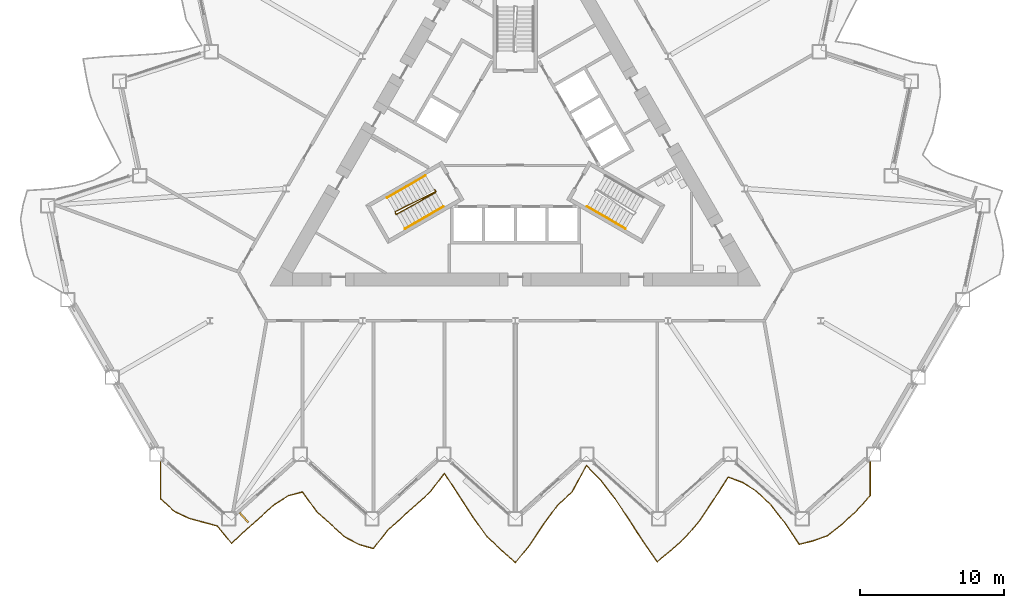
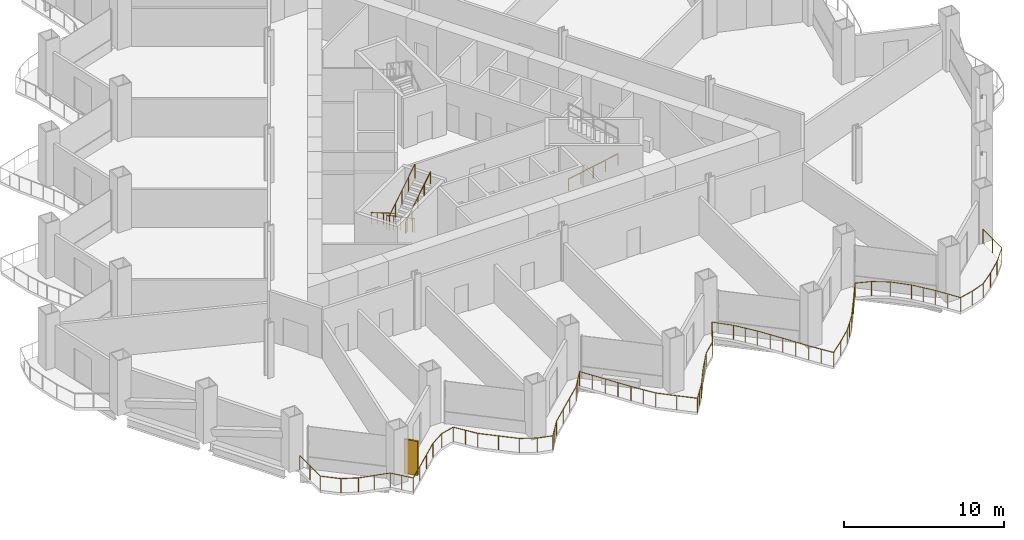
# One storey, part 17 of 21: 5 railings, 1 shading device.
"""IFC4 building model written with IfcOpenShell, lengths in metres."""

from ifc_helpers import new_model, si_unit, direction, frame, origin, origin_2d, place, context, subcontext, project, spatial, rectangle, circle, extrude, material, layer, layer_set, type_object, element, save


model = new_model("IFC4")

# Units and contexts
model_context = context("Model", 3, precision=1e-05, world=origin(), true_north=direction((0.0, 1.0)))
body_context = subcontext(model_context, "Body", "Model", "MODEL_VIEW")
ifc_project = project(units=[si_unit("LENGTHUNIT", "METRE"), si_unit("AREAUNIT", "SQUARE_METRE"), si_unit("VOLUMEUNIT", "CUBIC_METRE"), si_unit("PLANEANGLEUNIT", "RADIAN"), si_unit("MASSUNIT", "GRAM", prefix="KILO")], contexts=[model_context])

# Site, building, storey
site_placement = place(None, origin())
site = spatial("IfcSite", under=ifc_project, at=site_placement, CompositionType="ELEMENT")
building_placement = place(site_placement, origin())
building = spatial("IfcBuilding", under=site, at=building_placement, Name="Cormorant Prow Tower", CompositionType="ELEMENT")
storey_placement = place(building_placement, frame((0.0, 0.0, 72.0)))
storey = spatial("IfcBuildingStorey", under=building, at=storey_placement, Name="L15", CompositionType="ELEMENT", Elevation=72.0)

# Railings
ifc_material_1 = material(Name="Aluminium 6063-T6", Category="aluminium")
railing_type_1 = type_object("IfcRailingType", Name="Balcony guard 1100", PredefinedType="GUARDRAIL", material=ifc_material_1)
railing_1_placement = place(storey_placement, frame((-24.585205078125, -21.9814453125, 0.0)))
element("IfcRailing", 1, at=railing_1_placement, inside=storey, type_object=railing_type_1, Name="Balcony guard S", PredefinedType="GUARDRAIL", context=body_context, shape_type="SweptSolid", body=[
    extrude(circle(Radius=0.02392578125, at=origin_2d()), frame((0.0, 0.0, 1.076171875), z_axis=(0.0, -1.0, 0.0), x_axis=(1.0, 0.0, 0.0)), (0.0, 0.0, 1.0), 2.570068359375),
    extrude(circle(Radius=0.02392578125, at=origin_2d()), frame((0.0, -2.570068359375, 1.076171875), z_axis=(0.743128999228, -0.669148182771, 0.0), x_axis=(0.669148182771, 0.743128999228, 0.0)), (0.0, 0.0, 1.0), 1.3232421875),
    extrude(circle(Radius=0.02392578125, at=origin_2d()), frame((0.9833984375, -3.45556640625, 1.076171875), z_axis=(0.902607699627, -0.430464099053, 0.0), x_axis=(0.430464099053, 0.902607699627, 0.0)), (0.0, 0.0, 1.0), 1.089599609375),
    extrude(circle(Radius=0.02392578125, at=origin_2d()), frame((1.966796875, -3.924560546875, 1.076171875), z_axis=(0.965160842903, -0.26165730895, 0.0), x_axis=(0.26165730895, 0.965160842903, 0.0)), (0.0, 0.0, 1.0), 1.018798828125),
    extrude(circle(Radius=0.02392578125, at=origin_2d()), frame((2.9501953125, -4.191162109375, 1.076171875), z_axis=(0.966063556396, -0.258304481191, 0.0), x_axis=(0.258304481191, 0.966063556396, 0.0)), (0.0, 0.0, 1.0), 1.017822265625),
    extrude(circle(Radius=0.02392578125, at=origin_2d()), frame((3.93359375, -4.4541015625, 1.076171875), z_axis=(0.635950718371, -0.771729670159, 0.0), x_axis=(0.771729670159, 0.635950718371, 0.0)), (0.0, 0.0, 1.0), 1.54638671875),
    extrude(circle(Radius=0.02392578125, at=origin_2d()), frame((4.9169921875, -5.6474609375, 1.076171875), z_axis=(0.743128999228, 0.669148182771, 0.0), x_axis=(-0.669148182771, 0.743128999228, 0.0)), (0.0, 0.0, 1.0), 1.3232421875),
    extrude(circle(Radius=0.02392578125, at=origin_2d()), frame((5.900390625, -4.761962890625, 1.076171875), z_axis=(0.743128999228, 0.669148182771, 0.0), x_axis=(-0.669148182771, 0.743128999228, 0.0)), (0.0, 0.0, 1.0), 1.3232421875),
    extrude(circle(Radius=0.02392578125, at=origin_2d()), frame((6.8837890625, -3.87646484375, 1.076171875), z_axis=(0.743128999228, 0.669148182771, 0.0), x_axis=(-0.669148182771, 0.743128999228, 0.0)), (0.0, 0.0, 1.0), 1.3232421875),
    extrude(circle(Radius=0.02392578125, at=origin_2d()), frame((7.8671875, -2.990966796875, 1.076171875), z_axis=(0.842073916432, 0.539362141111, 0.0), x_axis=(-0.539362141111, 0.842073916432, 0.0)), (0.0, 0.0, 1.0), 1.167724609375),
    extrude(circle(Radius=0.02392578125, at=origin_2d()), frame((8.8505859375, -2.361083984375, 1.076171875), z_axis=(0.967015425791, 0.254717816972, 0.0), x_axis=(-0.254717816972, 0.967015425791, 0.0)), (0.0, 0.0, 1.0), 1.016845703125),
    extrude(circle(Radius=0.02392578125, at=origin_2d()), frame((9.833984375, -2.10205078125, 1.076171875), z_axis=(0.587885354936, -0.808944256084, 0.0), x_axis=(0.808944256084, 0.587885354936, 0.0)), (0.0, 0.0, 1.0), 1.673095703125),
    extrude(circle(Radius=0.02392578125, at=origin_2d()), frame((10.817626953125, -3.45556640625, 1.076171875), z_axis=(0.743128999228, -0.669148182771, 0.0), x_axis=(0.669148182771, 0.743128999228, 0.0)), (0.0, 0.0, 1.0), 1.3232421875),
    extrude(circle(Radius=0.02392578125, at=origin_2d()), frame((11.801025390625, -4.341064453125, 1.076171875), z_axis=(0.743128999228, -0.669148182771, 0.0), x_axis=(0.669148182771, 0.743128999228, 0.0)), (0.0, 0.0, 1.0), 1.3232421875),
    extrude(circle(Radius=0.02392578125, at=origin_2d()), frame((12.784423828125, -5.2265625, 1.076171875), z_axis=(0.884374682445, -0.466777699821, 0.0), x_axis=(0.466777699821, 0.884374682445, 0.0)), (0.0, 0.0, 1.0), 1.112060546875),
    extrude(circle(Radius=0.02392578125, at=origin_2d()), frame((13.767822265625, -5.74560546875, 1.076171875), z_axis=(0.96289198675, -0.269887053883, 0.0), x_axis=(0.269887053883, 0.96289198675, 0.0)), (0.0, 0.0, 1.0), 1.021240234375),
    extrude(circle(Radius=0.02392578125, at=origin_2d()), frame((14.751220703125, -6.021240234375, 1.076171875), z_axis=(0.615483907515, 0.788149452572, 0.0), x_axis=(-0.788149452572, 0.615483907515, 0.0)), (0.0, 0.0, 1.0), 1.59765625),
    extrude(circle(Radius=0.02392578125, at=origin_2d()), frame((15.734619140625, -4.761962890625, 1.076171875), z_axis=(0.743128999228, 0.669148182771, 0.0), x_axis=(-0.669148182771, 0.743128999228, 0.0)), (0.0, 0.0, 1.0), 1.3232421875),
    extrude(circle(Radius=0.02392578125, at=origin_2d()), frame((16.718017578125, -3.87646484375, 1.076171875), z_axis=(0.743128999228, 0.669148182771, 0.0), x_axis=(-0.669148182771, 0.743128999228, 0.0)), (0.0, 0.0, 1.0), 1.3232421875),
    extrude(circle(Radius=0.02392578125, at=origin_2d()), frame((17.701416015625, -2.990966796875, 1.076171875), z_axis=(0.743128999228, 0.669148182771, 0.0), x_axis=(-0.669148182771, 0.743128999228, 0.0)), (0.0, 0.0, 1.0), 1.3232421875),
    extrude(circle(Radius=0.02392578125, at=origin_2d()), frame((18.684814453125, -2.10546875, 1.076171875), z_axis=(0.60515564099, 0.796107185106, 0.0), x_axis=(-0.796107185106, 0.60515564099, 0.0)), (0.0, 0.0, 1.0), 1.625),
    extrude(circle(Radius=0.02392578125, at=origin_2d()), frame((19.668212890625, -0.811767578125, 1.076171875), z_axis=(0.550718393895, -0.834691110906, 0.0), x_axis=(0.834691110906, 0.550718393895, 0.0)), (0.0, 0.0, 1.0), 1.78564453125),
    extrude(circle(Radius=0.02392578125, at=origin_2d()), frame((20.651611328125, -2.30224609375, 1.076171875), z_axis=(0.543749337364, -0.839247673882, 0.0), x_axis=(0.839247673882, 0.543749337364, 0.0)), (0.0, 0.0, 1.0), 1.80859375),
    extrude(circle(Radius=0.02392578125, at=origin_2d()), frame((21.635009765625, -3.820068359375, 1.076171875), z_axis=(0.580910732478, -0.813967272618, 0.0), x_axis=(0.813967272618, 0.580910732478, 0.0)), (0.0, 0.0, 1.0), 1.69287109375),
    extrude(circle(Radius=0.02392578125, at=origin_2d()), frame((22.618408203125, -5.197998046875, 1.076171875), z_axis=(0.73254730476, -0.680716127537, 0.0), x_axis=(0.680716127537, 0.73254730476, 0.0)), (0.0, 0.0, 1.0), 1.342529296875),
    extrude(circle(Radius=0.02392578125, at=origin_2d()), frame((23.601806640625, -6.11181640625, 1.076171875), z_axis=(0.743128999228, -0.669148182771, 0.0), x_axis=(0.669148182771, 0.743128999228, 0.0)), (0.0, 0.0, 1.0), 1.3232421875),
    extrude(circle(Radius=0.02392578125, at=origin_2d()), frame((24.585205078125, -6.997314453125, 1.076171875), z_axis=(0.632861260373, 0.774265216266, 0.0), x_axis=(-0.774265216266, 0.632861260373, 0.0)), (0.0, 0.0, 1.0), 1.553955078125),
    extrude(circle(Radius=0.02392578125, at=origin_2d()), frame((25.568603515625, -5.794189453125, 1.076171875), z_axis=(0.552103781572, 0.833775398039, 0.0), x_axis=(-0.833775398039, 0.552103781572, 0.0)), (0.0, 0.0, 1.0), 1.78125),
    extrude(circle(Radius=0.02392578125, at=origin_2d()), frame((26.552001953125, -4.30908203125, 1.076171875), z_axis=(0.597979093265, 0.80151169924, 0.0), x_axis=(-0.80151169924, 0.597979093265, 0.0)), (0.0, 0.0, 1.0), 1.64453125),
    extrude(circle(Radius=0.02392578125, at=origin_2d()), frame((27.535400390625, -2.990966796875, 1.076171875), z_axis=(0.743128999228, 0.669148182771, 0.0), x_axis=(-0.669148182771, 0.743128999228, 0.0)), (0.0, 0.0, 1.0), 1.3232421875),
    extrude(circle(Radius=0.02392578125, at=origin_2d()), frame((28.518798828125, -2.10546875, 1.076171875), z_axis=(0.47402964322, 0.880508885445, 0.0), x_axis=(-0.880508885445, 0.47402964322, 0.0)), (0.0, 0.0, 1.0), 2.074462890625),
    extrude(circle(Radius=0.02392578125, at=origin_2d()), frame((29.502197265625, -0.27880859375, 1.076171875), z_axis=(0.709744883573, -0.704458799535, 0.0), x_axis=(0.704458799535, 0.709744883573, 0.0)), (0.0, 0.0, 1.0), 1.385498046875),
    extrude(circle(Radius=0.02392578125, at=origin_2d()), frame((30.485595703125, -1.2548828125, 1.076171875), z_axis=(0.609228227632, -0.792994934824, 0.0), x_axis=(0.792994934824, 0.609228227632, 0.0)), (0.0, 0.0, 1.0), 1.6142578125),
    extrude(circle(Radius=0.02392578125, at=origin_2d()), frame((31.468994140625, -2.534912109375, 1.076171875), z_axis=(0.553557968643, -0.832810647958, 0.0), x_axis=(0.832810647958, 0.553557968643, 0.0)), (0.0, 0.0, 1.0), 1.776611328125),
    extrude(circle(Radius=0.02392578125, at=origin_2d()), frame((32.452392578125, -4.014404296875, 1.076171875), z_axis=(0.54258087896, -0.840003565342, 0.0), x_axis=(0.840003565342, 0.54258087896, 0.0)), (0.0, 0.0, 1.0), 1.8125),
    extrude(circle(Radius=0.02392578125, at=origin_2d()), frame((33.435791015625, -5.536865234375, 1.076171875), z_axis=(0.575627914174, -0.817711748983, 0.0), x_axis=(0.817711748983, 0.575627914174, 0.0)), (0.0, 0.0, 1.0), 1.70849609375),
    extrude(circle(Radius=0.02392578125, at=origin_2d()), frame((34.419189453125, -6.933837890625, 1.076171875), z_axis=(0.767252389579, 0.641345281954, 0.0), x_axis=(-0.641345281954, 0.767252389579, 0.0)), (0.0, 0.0, 1.0), 1.28173828125),
    extrude(circle(Radius=0.02392578125, at=origin_2d()), frame((35.402587890625, -6.11181640625, 1.076171875), z_axis=(0.743220744102, 0.669046280564, 0.0), x_axis=(-0.669046280564, 0.743220744102, 0.0)), (0.0, 0.0, 1.0), 1.3232421875),
    extrude(circle(Radius=0.02392578125, at=origin_2d()), frame((36.385986328125, -5.2265625, 1.076171875), z_axis=(0.647872497364, 0.761748795312, 0.0), x_axis=(-0.761748795312, 0.647872497364, 0.0)), (0.0, 0.0, 1.0), 1.517822265625),
    extrude(circle(Radius=0.02392578125, at=origin_2d()), frame((37.369384765625, -4.0703125, 1.076171875), z_axis=(0.555081753939, 0.831795796121, 0.0), x_axis=(-0.831795796121, 0.555081753939, 0.0)), (0.0, 0.0, 1.0), 1.771728515625),
    extrude(circle(Radius=0.02392578125, at=origin_2d()), frame((38.352783203125, -2.5966796875, 1.076171875), z_axis=(0.542307742913, 0.840179928335, 0.0), x_axis=(-0.840179928335, 0.542307742913, 0.0)), (0.0, 0.0, 1.0), 1.813720703125),
    extrude(circle(Radius=0.02392578125, at=origin_2d()), frame((39.33642578125, -1.07275390625, 1.076171875), z_axis=(0.937585804914, -0.347754019996, 0.0), x_axis=(0.347754019996, 0.937585804914, 0.0)), (0.0, 0.0, 1.0), 1.048828125),
    extrude(circle(Radius=0.02392578125, at=origin_2d()), frame((40.31982421875, -1.4375, 1.076171875), z_axis=(0.845678428324, -0.533692791658, 0.0), x_axis=(0.533692791658, 0.845678428324, 0.0)), (0.0, 0.0, 1.0), 1.162841796875),
    extrude(circle(Radius=0.02392578125, at=origin_2d()), frame((41.30322265625, -2.05810546875, 1.076171875), z_axis=(0.720661143333, -0.693287470311, 0.0), x_axis=(0.693287470311, 0.720661143333, 0.0)), (0.0, 0.0, 1.0), 1.364501953125),
    extrude(circle(Radius=0.02392578125, at=origin_2d()), frame((42.28662109375, -3.004150390625, 1.076171875), z_axis=(0.616671463019, -0.787220621362, 0.0), x_axis=(0.787220621362, 0.616671463019, 0.0)), (0.0, 0.0, 1.0), 1.5947265625),
    extrude(circle(Radius=0.02392578125, at=origin_2d()), frame((43.27001953125, -4.259521484375, 1.076171875), z_axis=(0.556675975576, -0.830729714297, 0.0), x_axis=(0.830729714297, 0.556675975576, 0.0)), (0.0, 0.0, 1.0), 1.7666015625),
    extrude(circle(Radius=0.02392578125, at=origin_2d()), frame((44.25341796875, -5.72705078125, 1.076171875), z_axis=(0.97019914748, 0.242308923129, 0.0), x_axis=(-0.242308923129, 0.97019914748, 0.0)), (0.0, 0.0, 1.0), 1.013671875),
    extrude(circle(Radius=0.02392578125, at=origin_2d()), frame((45.23681640625, -5.4814453125, 1.076171875), z_axis=(0.940296766923, 0.340355681771, 0.0), x_axis=(-0.340355681771, 0.940296766923, 0.0)), (0.0, 0.0, 1.0), 1.0458984375),
    extrude(circle(Radius=0.02392578125, at=origin_2d()), frame((46.22021484375, -5.12548828125, 1.076171875), z_axis=(0.781757949104, 0.623581998628, 0.0), x_axis=(-0.623581998628, 0.781757949104, 0.0)), (0.0, 0.0, 1.0), 1.2578125),
    extrude(circle(Radius=0.02392578125, at=origin_2d()), frame((47.20361328125, -4.341064453125, 1.076171875), z_axis=(0.743128999228, 0.669148182771, 0.0), x_axis=(-0.669148182771, 0.743128999228, 0.0)), (0.0, 0.0, 1.0), 1.3232421875),
    extrude(circle(Radius=0.02392578125, at=origin_2d()), frame((48.18701171875, -3.45556640625, 1.076171875), z_axis=(0.662850790638, 0.748751513755, 0.0), x_axis=(-0.748751513755, 0.662850790638, 0.0)), (0.0, 0.0, 1.0), 1.483642578125),
    extrude(circle(Radius=0.02392578125, at=origin_2d()), frame((49.17041015625, -2.3447265625, 1.076171875), z_axis=(0.0, 1.0, 0.0), x_axis=(-1.0, 0.0, 0.0)), (0.0, 0.0, 1.0), 2.3447265625),
    extrude(circle(Radius=0.02099609375, at=origin_2d()), origin(), (0.0, 0.0, 1.0), 1.052001953125),
    extrude(circle(Radius=0.02099609375, at=origin_2d()), frame((0.0, -1.28515625, 0.0)), (0.0, 0.0, 1.0), 1.052001953125),
    extrude(circle(Radius=0.02099609375, at=origin_2d()), frame((0.0, -2.570068359375, 0.0)), (0.0, 0.0, 1.0), 1.052001953125),
    extrude(circle(Radius=0.02099609375, at=origin_2d()), frame((0.9833984375, -3.45556640625, 0.0)), (0.0, 0.0, 1.0), 1.052001953125),
    extrude(circle(Radius=0.02099609375, at=origin_2d()), frame((1.966796875, -3.924560546875, 0.0)), (0.0, 0.0, 1.0), 1.052001953125),
    extrude(circle(Radius=0.02099609375, at=origin_2d()), frame((2.9501953125, -4.191162109375, 0.0)), (0.0, 0.0, 1.0), 1.052001953125),
    extrude(circle(Radius=0.02099609375, at=origin_2d()), frame((3.93359375, -4.4541015625, 0.0)), (0.0, 0.0, 1.0), 1.052001953125),
    extrude(circle(Radius=0.02099609375, at=origin_2d()), frame((4.42529296875, -5.05078125, 0.0)), (0.0, 0.0, 1.0), 1.052001953125),
    extrude(circle(Radius=0.02099609375, at=origin_2d()), frame((4.9169921875, -5.6474609375, 0.0)), (0.0, 0.0, 1.0), 1.052001953125),
    extrude(circle(Radius=0.02099609375, at=origin_2d()), frame((5.900390625, -4.761962890625, 0.0)), (0.0, 0.0, 1.0), 1.052001953125),
    extrude(circle(Radius=0.02099609375, at=origin_2d()), frame((6.8837890625, -3.87646484375, 0.0)), (0.0, 0.0, 1.0), 1.052001953125),
    extrude(circle(Radius=0.02099609375, at=origin_2d()), frame((7.8671875, -2.990966796875, 0.0)), (0.0, 0.0, 1.0), 1.052001953125),
    extrude(circle(Radius=0.02099609375, at=origin_2d()), frame((8.8505859375, -2.361083984375, 0.0)), (0.0, 0.0, 1.0), 1.052001953125),
    extrude(circle(Radius=0.02099609375, at=origin_2d()), frame((9.833984375, -2.10205078125, 0.0)), (0.0, 0.0, 1.0), 1.052001953125),
    extrude(circle(Radius=0.02099609375, at=origin_2d()), frame((10.32568359375, -2.77880859375, 0.0)), (0.0, 0.0, 1.0), 1.052001953125),
    extrude(circle(Radius=0.02099609375, at=origin_2d()), frame((10.817626953125, -3.45556640625, 0.0)), (0.0, 0.0, 1.0), 1.052001953125),
    extrude(circle(Radius=0.02099609375, at=origin_2d()), frame((11.801025390625, -4.341064453125, 0.0)), (0.0, 0.0, 1.0), 1.052001953125),
    extrude(circle(Radius=0.02099609375, at=origin_2d()), frame((12.784423828125, -5.2265625, 0.0)), (0.0, 0.0, 1.0), 1.052001953125),
    extrude(circle(Radius=0.02099609375, at=origin_2d()), frame((13.767822265625, -5.74560546875, 0.0)), (0.0, 0.0, 1.0), 1.052001953125),
    extrude(circle(Radius=0.02099609375, at=origin_2d()), frame((14.751220703125, -6.021240234375, 0.0)), (0.0, 0.0, 1.0), 1.052001953125),
    extrude(circle(Radius=0.02099609375, at=origin_2d()), frame((15.242919921875, -5.3916015625, 0.0)), (0.0, 0.0, 1.0), 1.052001953125),
    extrude(circle(Radius=0.02099609375, at=origin_2d()), frame((15.734619140625, -4.761962890625, 0.0)), (0.0, 0.0, 1.0), 1.052001953125),
    extrude(circle(Radius=0.02099609375, at=origin_2d()), frame((16.718017578125, -3.87646484375, 0.0)), (0.0, 0.0, 1.0), 1.052001953125),
    extrude(circle(Radius=0.02099609375, at=origin_2d()), frame((17.701416015625, -2.990966796875, 0.0)), (0.0, 0.0, 1.0), 1.052001953125),
    extrude(circle(Radius=0.02099609375, at=origin_2d()), frame((18.684814453125, -2.10546875, 0.0)), (0.0, 0.0, 1.0), 1.052001953125),
    extrude(circle(Radius=0.02099609375, at=origin_2d()), frame((19.176513671875, -1.45849609375, 0.0)), (0.0, 0.0, 1.0), 1.052001953125),
    extrude(circle(Radius=0.02099609375, at=origin_2d()), frame((19.668212890625, -0.811767578125, 0.0)), (0.0, 0.0, 1.0), 1.052001953125),
    extrude(circle(Radius=0.02099609375, at=origin_2d()), frame((20.159912109375, -1.55712890625, 0.0)), (0.0, 0.0, 1.0), 1.052001953125),
    extrude(circle(Radius=0.02099609375, at=origin_2d()), frame((20.651611328125, -2.30224609375, 0.0)), (0.0, 0.0, 1.0), 1.052001953125),
    extrude(circle(Radius=0.02099609375, at=origin_2d()), frame((21.143310546875, -3.06103515625, 0.0)), (0.0, 0.0, 1.0), 1.052001953125),
    extrude(circle(Radius=0.02099609375, at=origin_2d()), frame((21.635009765625, -3.820068359375, 0.0)), (0.0, 0.0, 1.0), 1.052001953125),
    extrude(circle(Radius=0.02099609375, at=origin_2d()), frame((22.126708984375, -4.509033203125, 0.0)), (0.0, 0.0, 1.0), 1.052001953125),
    extrude(circle(Radius=0.02099609375, at=origin_2d()), frame((22.618408203125, -5.197998046875, 0.0)), (0.0, 0.0, 1.0), 1.052001953125),
    extrude(circle(Radius=0.02099609375, at=origin_2d()), frame((23.601806640625, -6.11181640625, 0.0)), (0.0, 0.0, 1.0), 1.052001953125),
    extrude(circle(Radius=0.02099609375, at=origin_2d()), frame((24.585205078125, -6.997314453125, 0.0)), (0.0, 0.0, 1.0), 1.052001953125),
    extrude(circle(Radius=0.02099609375, at=origin_2d()), frame((25.076904296875, -6.395751953125, 0.0)), (0.0, 0.0, 1.0), 1.052001953125),
    extrude(circle(Radius=0.02099609375, at=origin_2d()), frame((25.568603515625, -5.794189453125, 0.0)), (0.0, 0.0, 1.0), 1.052001953125),
    extrude(circle(Radius=0.02099609375, at=origin_2d()), frame((26.060302734375, -5.0517578125, 0.0)), (0.0, 0.0, 1.0), 1.052001953125),
    extrude(circle(Radius=0.02099609375, at=origin_2d()), frame((26.552001953125, -4.30908203125, 0.0)), (0.0, 0.0, 1.0), 1.052001953125),
    extrude(circle(Radius=0.02099609375, at=origin_2d()), frame((27.043701171875, -3.64990234375, 0.0)), (0.0, 0.0, 1.0), 1.052001953125),
    extrude(circle(Radius=0.02099609375, at=origin_2d()), frame((27.535400390625, -2.990966796875, 0.0)), (0.0, 0.0, 1.0), 1.052001953125),
    extrude(circle(Radius=0.02099609375, at=origin_2d()), frame((28.518798828125, -2.10546875, 0.0)), (0.0, 0.0, 1.0), 1.052001953125),
    extrude(circle(Radius=0.02099609375, at=origin_2d()), frame((29.010498046875, -1.192138671875, 0.0)), (0.0, 0.0, 1.0), 1.052001953125),
    extrude(circle(Radius=0.02099609375, at=origin_2d()), frame((29.502197265625, -0.27880859375, 0.0)), (0.0, 0.0, 1.0), 1.052001953125),
    extrude(circle(Radius=0.02099609375, at=origin_2d()), frame((30.485595703125, -1.2548828125, 0.0)), (0.0, 0.0, 1.0), 1.052001953125),
    extrude(circle(Radius=0.02099609375, at=origin_2d()), frame((30.977294921875, -1.89501953125, 0.0)), (0.0, 0.0, 1.0), 1.052001953125),
    extrude(circle(Radius=0.02099609375, at=origin_2d()), frame((31.468994140625, -2.534912109375, 0.0)), (0.0, 0.0, 1.0), 1.052001953125),
    extrude(circle(Radius=0.02099609375, at=origin_2d()), frame((31.960693359375, -3.274658203125, 0.0)), (0.0, 0.0, 1.0), 1.052001953125),
    extrude(circle(Radius=0.02099609375, at=origin_2d()), frame((32.452392578125, -4.014404296875, 0.0)), (0.0, 0.0, 1.0), 1.052001953125),
    extrude(circle(Radius=0.02099609375, at=origin_2d()), frame((32.944091796875, -4.775634765625, 0.0)), (0.0, 0.0, 1.0), 1.052001953125),
    extrude(circle(Radius=0.02099609375, at=origin_2d()), frame((33.435791015625, -5.536865234375, 0.0)), (0.0, 0.0, 1.0), 1.052001953125),
    extrude(circle(Radius=0.02099609375, at=origin_2d()), frame((33.927490234375, -6.2353515625, 0.0)), (0.0, 0.0, 1.0), 1.052001953125),
    extrude(circle(Radius=0.02099609375, at=origin_2d()), frame((34.419189453125, -6.933837890625, 0.0)), (0.0, 0.0, 1.0), 1.052001953125),
    extrude(circle(Radius=0.02099609375, at=origin_2d()), frame((35.402587890625, -6.11181640625, 0.0)), (0.0, 0.0, 1.0), 1.052001953125),
    extrude(circle(Radius=0.02099609375, at=origin_2d()), frame((36.385986328125, -5.2265625, 0.0)), (0.0, 0.0, 1.0), 1.052001953125),
    extrude(circle(Radius=0.02099609375, at=origin_2d()), frame((36.877685546875, -4.6484375, 0.0)), (0.0, 0.0, 1.0), 1.052001953125),
    extrude(circle(Radius=0.02099609375, at=origin_2d()), frame((37.369384765625, -4.0703125, 0.0)), (0.0, 0.0, 1.0), 1.052001953125),
    extrude(circle(Radius=0.02099609375, at=origin_2d()), frame((37.861083984375, -3.33349609375, 0.0)), (0.0, 0.0, 1.0), 1.052001953125),
    extrude(circle(Radius=0.02099609375, at=origin_2d()), frame((38.352783203125, -2.5966796875, 0.0)), (0.0, 0.0, 1.0), 1.052001953125),
    extrude(circle(Radius=0.02099609375, at=origin_2d()), frame((38.8447265625, -1.834716796875, 0.0)), (0.0, 0.0, 1.0), 1.052001953125),
    extrude(circle(Radius=0.02099609375, at=origin_2d()), frame((39.33642578125, -1.07275390625, 0.0)), (0.0, 0.0, 1.0), 1.052001953125),
    extrude(circle(Radius=0.02099609375, at=origin_2d()), frame((40.31982421875, -1.4375, 0.0)), (0.0, 0.0, 1.0), 1.052001953125),
    extrude(circle(Radius=0.02099609375, at=origin_2d()), frame((41.30322265625, -2.05810546875, 0.0)), (0.0, 0.0, 1.0), 1.052001953125),
    extrude(circle(Radius=0.02099609375, at=origin_2d()), frame((42.28662109375, -3.004150390625, 0.0)), (0.0, 0.0, 1.0), 1.052001953125),
    extrude(circle(Radius=0.02099609375, at=origin_2d()), frame((42.7783203125, -3.6318359375, 0.0)), (0.0, 0.0, 1.0), 1.052001953125),
    extrude(circle(Radius=0.02099609375, at=origin_2d()), frame((43.27001953125, -4.259521484375, 0.0)), (0.0, 0.0, 1.0), 1.052001953125),
    extrude(circle(Radius=0.02099609375, at=origin_2d()), frame((43.76171875, -4.9931640625, 0.0)), (0.0, 0.0, 1.0), 1.052001953125),
    extrude(circle(Radius=0.02099609375, at=origin_2d()), frame((44.25341796875, -5.72705078125, 0.0)), (0.0, 0.0, 1.0), 1.052001953125),
    extrude(circle(Radius=0.02099609375, at=origin_2d()), frame((45.23681640625, -5.4814453125, 0.0)), (0.0, 0.0, 1.0), 1.052001953125),
    extrude(circle(Radius=0.02099609375, at=origin_2d()), frame((46.22021484375, -5.12548828125, 0.0)), (0.0, 0.0, 1.0), 1.052001953125),
    extrude(circle(Radius=0.02099609375, at=origin_2d()), frame((47.20361328125, -4.341064453125, 0.0)), (0.0, 0.0, 1.0), 1.052001953125),
    extrude(circle(Radius=0.02099609375, at=origin_2d()), frame((48.18701171875, -3.45556640625, 0.0)), (0.0, 0.0, 1.0), 1.052001953125),
    extrude(circle(Radius=0.02099609375, at=origin_2d()), frame((49.17041015625, -2.3447265625, 0.0)), (0.0, 0.0, 1.0), 1.052001953125),
    extrude(circle(Radius=0.02099609375, at=origin_2d()), frame((49.17041015625, -1.17236328125, 0.0)), (0.0, 0.0, 1.0), 1.052001953125),
    extrude(circle(Radius=0.02099609375, at=origin_2d()), frame((49.17041015625, 0.0, 0.0)), (0.0, 0.0, 1.0), 1.052001953125),
])
ifc_material_2 = material(Name="Stainless steel", Category="steel")
railing_type_2 = type_object("IfcRailingType", Name="Stair guard 1100", PredefinedType="GUARDRAIL", material=ifc_material_2)
railing_2_placement = place(storey_placement, frame((-5.585205078125, -3.137939453125, 0.0)))
element("IfcRailing", 2, at=railing_2_placement, inside=storey, type_object=railing_type_2, Name="L15 ST1 stair guard 1", PredefinedType="GUARDRAIL", context=body_context, shape_type="SweptSolid", body=[
    extrude(circle(Radius=0.02392578125, at=origin_2d()), frame((0.0, 0.0, 1.076171875), z_axis=(0.501036270542, -0.865426285481, 0.0), x_axis=(0.865426285481, 0.501036270542, 0.0)), (0.0, 0.0, 1.0), 0.150146484375),
    extrude(circle(Radius=0.02392578125, at=origin_2d()), frame((0.0751953125, -0.1298828125, 1.076171875), z_axis=(-0.744644002882, -0.368732342607, 0.556364780057), x_axis=(0.443754251299, -0.896148516963, 0.0)), (0.0, 0.0, 1.0), 3.774658203125),
    extrude(circle(Radius=0.02392578125, at=origin_2d()), frame((-2.735595703125, -1.521728515625, 3.17626953125), z_axis=(0.274721127897, -0.961523947641, 0.0), x_axis=(0.961523947641, 0.274721127897, 0.0)), (0.0, 0.0, 1.0), 0.2060546875),
    extrude(circle(Radius=0.02392578125, at=origin_2d()), frame((-2.678955078125, -1.719970703125, 3.17626953125), z_axis=(0.725764528363, 0.403684660475, 0.557049857973), x_axis=(-0.486086505765, 0.873910698477, 0.0)), (0.0, 0.0, 1.0), 3.76953125),
    extrude(circle(Radius=0.02099609375, at=origin_2d()), origin(), (0.0, 0.0, 1.0), 1.052001953125),
    extrude(circle(Radius=0.02099609375, at=origin_2d()), frame((0.0751953125, -0.1298828125, 0.0)), (0.0, 0.0, 1.0), 1.052001953125),
    extrude(circle(Radius=0.02099609375, at=origin_2d()), frame((-0.62744140625, -0.477783203125, 0.52490234375)), (0.0, 0.0, 1.0), 1.052001953125),
    extrude(circle(Radius=0.02099609375, at=origin_2d()), frame((-1.330078125, -0.82568359375, 1.050048828125)), (0.0, 0.0, 1.0), 1.052001953125),
    extrude(circle(Radius=0.02099609375, at=origin_2d()), frame((-2.032958984375, -1.173828125, 1.5751953125)), (0.0, 0.0, 1.0), 1.052001953125),
    extrude(circle(Radius=0.02099609375, at=origin_2d()), frame((-2.735595703125, -1.521728515625, 2.10009765625)), (0.0, 0.0, 1.0), 1.052001953125),
    extrude(circle(Radius=0.02099609375, at=origin_2d()), frame((-2.678955078125, -1.719970703125, 2.10009765625)), (0.0, 0.0, 1.0), 1.052001953125),
    extrude(circle(Radius=0.02099609375, at=origin_2d()), frame((-1.9951171875, -1.339599609375, 2.625)), (0.0, 0.0, 1.0), 1.052001953125),
    extrude(circle(Radius=0.02099609375, at=origin_2d()), frame((-1.31103515625, -0.958984375, 3.14990234375)), (0.0, 0.0, 1.0), 1.052001953125),
    extrude(circle(Radius=0.02099609375, at=origin_2d()), frame((-0.626953125, -0.57861328125, 3.675048828125)), (0.0, 0.0, 1.0), 1.052001953125),
    extrude(circle(Radius=0.02099609375, at=origin_2d()), frame((0.056884765625, -0.1982421875, 4.199951171875)), (0.0, 0.0, 1.0), 1.052001953125),
])
ifc_material_3 = material(Name="Stainless steel", Category="steel")
railing_type_3 = type_object("IfcRailingType", Name="Stair handrail 900", PredefinedType="HANDRAIL", material=ifc_material_3)
railing_3_placement = place(storey_placement, frame((-6.212890625, -2.150634765625, 0.175048828125)))
element("IfcRailing", 3, at=railing_3_placement, inside=storey, type_object=railing_type_3, Name="L15 ST1 stair handrail 1", PredefinedType="HANDRAIL", context=body_context, shape_type="SweptSolid", body=[
    extrude(circle(Radius=0.02392578125, at=origin_2d()), frame((0.0, 0.0, 0.8759765625), z_axis=(-0.734394994316, -0.423994474112, 0.52999309264), x_axis=(0.499992328818, -0.866029832698, 0.0)), (0.0, 0.0, 1.0), 3.63232421875),
    extrude(circle(Radius=0.02099609375, at=origin_2d()), origin(), (0.0, 0.0, 1.0), 0.851806640625),
    extrude(circle(Radius=0.02099609375, at=origin_2d()), frame((-0.6669921875, -0.385009765625, 0.481201171875)), (0.0, 0.0, 1.0), 0.851806640625),
    extrude(circle(Radius=0.02099609375, at=origin_2d()), frame((-1.333740234375, -0.77001953125, 0.96240234375)), (0.0, 0.0, 1.0), 0.851806640625),
    extrude(circle(Radius=0.02099609375, at=origin_2d()), frame((-2.00048828125, -1.155029296875, 1.44384765625)), (0.0, 0.0, 1.0), 0.851806640625),
    extrude(circle(Radius=0.02099609375, at=origin_2d()), frame((-2.66748046875, -1.5400390625, 1.925048828125)), (0.0, 0.0, 1.0), 0.851806640625),
])
railing_4_placement = place(storey_placement, frame((-7.63623046875, -5.84521484375, 2.27490234375)))
element("IfcRailing", 4, at=railing_4_placement, inside=storey, type_object=railing_type_3, Name="L15 ST1 stair handrail 2", PredefinedType="HANDRAIL", context=body_context, shape_type="SweptSolid", body=[
    extrude(circle(Radius=0.02392578125, at=origin_2d()), frame((0.0, 0.0, 0.8759765625), z_axis=(0.734364028329, 0.424015404183, 0.530019255228), x_axis=(-0.500026652407, 0.866010015463, 0.0)), (0.0, 0.0, 1.0), 3.632080078125),
    extrude(circle(Radius=0.02099609375, at=origin_2d()), origin(), (0.0, 0.0, 1.0), 0.851806640625),
    extrude(circle(Radius=0.02099609375, at=origin_2d()), frame((0.666748046875, 0.385009765625, 0.481201171875)), (0.0, 0.0, 1.0), 0.851806640625),
    extrude(circle(Radius=0.02099609375, at=origin_2d()), frame((1.33349609375, 0.77001953125, 0.96240234375)), (0.0, 0.0, 1.0), 0.851806640625),
    extrude(circle(Radius=0.02099609375, at=origin_2d()), frame((2.00048828125, 1.155029296875, 1.44384765625)), (0.0, 0.0, 1.0), 0.851806640625),
    extrude(circle(Radius=0.02099609375, at=origin_2d()), frame((2.667236328125, 1.5400390625, 1.925048828125)), (0.0, 0.0, 1.0), 0.851806640625),
])
railing_5_placement = place(storey_placement, frame((4.968994140625, -4.30517578125, 0.175048828125)))
element("IfcRailing", 5, at=railing_5_placement, inside=storey, type_object=railing_type_3, Name="L15 ST2 stair handrail 1", PredefinedType="HANDRAIL", context=body_context, shape_type="SweptSolid", body=[
    extrude(circle(Radius=0.02392578125, at=origin_2d()), frame((0.0, 0.0, 0.8759765625), z_axis=(0.734364028329, -0.424015404183, 0.530019255228), x_axis=(0.500026652407, 0.866010015463, 0.0)), (0.0, 0.0, 1.0), 3.632080078125),
    extrude(circle(Radius=0.02099609375, at=origin_2d()), origin(), (0.0, 0.0, 1.0), 0.851806640625),
    extrude(circle(Radius=0.02099609375, at=origin_2d()), frame((0.666748046875, -0.385009765625, 0.481201171875)), (0.0, 0.0, 1.0), 0.851806640625),
    extrude(circle(Radius=0.02099609375, at=origin_2d()), frame((1.33349609375, -0.77001953125, 0.96240234375)), (0.0, 0.0, 1.0), 0.851806640625),
    extrude(circle(Radius=0.02099609375, at=origin_2d()), frame((2.00048828125, -1.155029296875, 1.44384765625)), (0.0, 0.0, 1.0), 0.851806640625),
    extrude(circle(Radius=0.02099609375, at=origin_2d()), frame((2.667236328125, -1.5400390625, 1.925048828125)), (0.0, 0.0, 1.0), 0.851806640625),
])

# Shading device
ifc_material_4 = material(Name="Terracotta", Category="masonry")
ifc_layer = layer(ifc_material_4, 0.1201171875)
ifc_layer_set = layer_set([ifc_layer], Name="Terracotta")
shading_device_type = type_object("IfcShadingDeviceType", Name="Terracotta baguette fin 120x900x2600", PredefinedType="USERDEFINED", material=ifc_layer_set)
shading_device_placement = place(storey_placement, frame((-18.800048828125, -25.8525390625, 0.0), z_axis=(0.0, 0.0, 1.0), x_axis=(0.743144817746, 0.669130614945, 0.0)))
element("IfcShadingDevice", 6, at=shading_device_placement, inside=storey, type_object=shading_device_type, Name="Baguette fin S01", ObjectType="BAGUETTE", PredefinedType="USERDEFINED", context=body_context, shape_type="SweptSolid", body=[
    extrude(rectangle(XDim=0.1201171875, YDim=0.89990234375, at=origin_2d()), origin(), (0.0, 0.0, 1.0), 2.60009765625),
])

save(model, "model.ifc")
